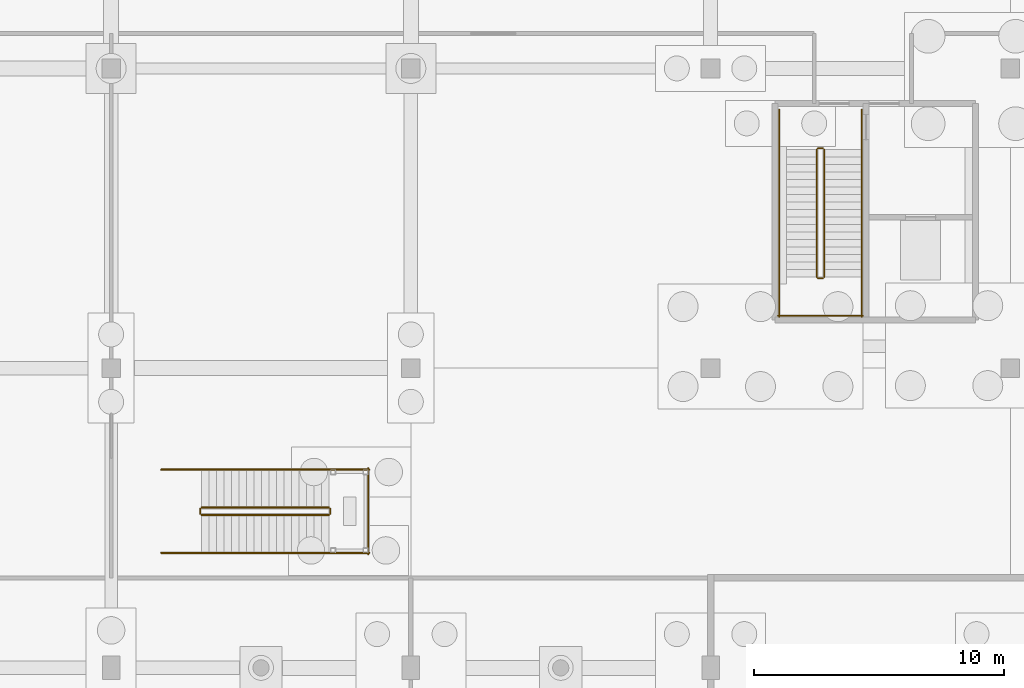
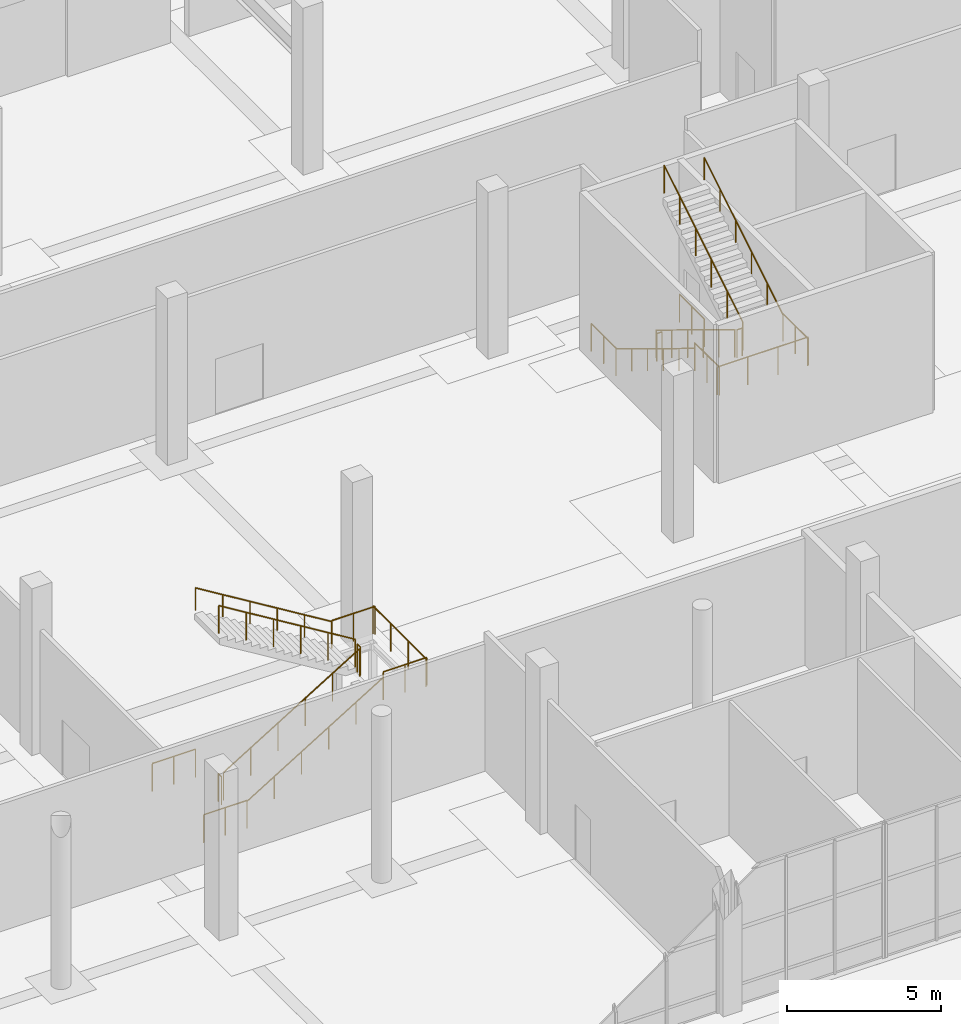
# One storey, part 113 of 117: 22 railings.
"""IFC4 building model written with IfcOpenShell, lengths in metres."""

from ifc_helpers import new_model, si_unit, direction, frame, origin, origin_2d, place, context, subcontext, project, spatial, circle, extrude, material, type_object, element, save


model = new_model("IFC4")

# Units and contexts
model_context = context("Model", 3, precision=1e-05, world=origin(), true_north=direction((0.0, 1.0)))
body_context = subcontext(model_context, "Body", "Model", "MODEL_VIEW")
ifc_project = project(units=[si_unit("LENGTHUNIT", "METRE"), si_unit("AREAUNIT", "SQUARE_METRE"), si_unit("VOLUMEUNIT", "CUBIC_METRE"), si_unit("PLANEANGLEUNIT", "RADIAN"), si_unit("MASSUNIT", "GRAM", prefix="KILO")], contexts=[model_context])

# Site, building, storey
site_placement = place(None, origin())
site = spatial("IfcSite", under=ifc_project, at=site_placement, CompositionType="ELEMENT")
building_placement = place(site_placement, origin())
building = spatial("IfcBuilding", under=site, at=building_placement, Name="Kamomehara Wholesale Market", CompositionType="ELEMENT")
storey_placement = place(building_placement, origin())
storey = spatial("IfcBuildingStorey", under=building, at=storey_placement, Name="L00", CompositionType="ELEMENT", Elevation=0.0)

# Railings
ifc_material_1 = material(Name="Steel SN400B", Category="steel")
railing_type_1 = type_object("IfcRailingType", Name="RAL-HND-900", PredefinedType="HANDRAIL", material=ifc_material_1)
railing_1_placement = place(storey_placement, frame((158.75, 128.75, 0.183349609375)))
element("IfcRailing", 1, at=railing_1_placement, inside=storey, type_object=railing_type_1, Name="L00 ST-02 stair handrail 1", PredefinedType="HANDRAIL", context=body_context, shape_type="SweptSolid", body=[
    extrude(circle(Radius=0.02392578125, at=origin_2d()), frame((0.0, 0.0, 0.8759765625), z_axis=(0.0, -0.853283853024, 0.521446705012), x_axis=(1.0, 0.0, 0.0)), (0.0, 0.0, 1.0), 5.97705078125),
    extrude(circle(Radius=0.02099609375, at=origin_2d()), origin(), (0.0, 0.0, 1.0), 0.851806640625),
    extrude(circle(Radius=0.02099609375, at=origin_2d()), frame((0.0, -1.02001953125, 0.623291015625)), (0.0, 0.0, 1.0), 0.851806640625),
    extrude(circle(Radius=0.02099609375, at=origin_2d()), frame((0.0, -2.0400390625, 1.24658203125)), (0.0, 0.0, 1.0), 0.851806640625),
    extrude(circle(Radius=0.02099609375, at=origin_2d()), frame((0.0, -3.06005859375, 1.8701171875)), (0.0, 0.0, 1.0), 0.851806640625),
    extrude(circle(Radius=0.02099609375, at=origin_2d()), frame((0.0, -4.080078125, 2.493408203125)), (0.0, 0.0, 1.0), 0.851806640625),
    extrude(circle(Radius=0.02099609375, at=origin_2d()), frame((0.0, -5.10009765625, 3.11669921875)), (0.0, 0.0, 1.0), 0.851806640625),
])
railing_2_placement = place(storey_placement, frame((162.050048828125, 123.64990234375, 3.4833984375)))
element("IfcRailing", 2, at=railing_2_placement, inside=storey, type_object=railing_type_1, Name="L00 ST-02 stair handrail 2", PredefinedType="HANDRAIL", context=body_context, shape_type="SweptSolid", body=[
    extrude(circle(Radius=0.02392578125, at=origin_2d()), frame((0.0, 0.0, 0.8759765625), z_axis=(0.0, 0.853283853024, 0.521446705012), x_axis=(-1.0, 0.0, 0.0)), (0.0, 0.0, 1.0), 5.97705078125),
    extrude(circle(Radius=0.02099609375, at=origin_2d()), origin(), (0.0, 0.0, 1.0), 0.851806640625),
    extrude(circle(Radius=0.02099609375, at=origin_2d()), frame((0.0, 1.02001953125, 0.623291015625)), (0.0, 0.0, 1.0), 0.851806640625),
    extrude(circle(Radius=0.02099609375, at=origin_2d()), frame((0.0, 2.0400390625, 1.24658203125)), (0.0, 0.0, 1.0), 0.851806640625),
    extrude(circle(Radius=0.02099609375, at=origin_2d()), frame((0.0, 3.06005859375, 1.8701171875)), (0.0, 0.0, 1.0), 0.851806640625),
    extrude(circle(Radius=0.02099609375, at=origin_2d()), frame((0.0, 4.080078125, 2.493408203125)), (0.0, 0.0, 1.0), 0.851806640625),
    extrude(circle(Radius=0.02099609375, at=origin_2d()), frame((0.0, 5.10009765625, 3.11669921875)), (0.0, 0.0, 1.0), 0.851806640625),
])
railing_3_placement = place(storey_placement, frame((135.6201171875, 112.60009765625, 0.183349609375)))
element("IfcRailing", 3, at=railing_3_placement, inside=storey, type_object=railing_type_1, Name="L00 ST-12 stair handrail 1", PredefinedType="HANDRAIL", context=body_context, shape_type="SweptSolid", body=[
    extrude(circle(Radius=0.02392578125, at=origin_2d()), frame((0.0, 0.0, 0.8759765625), z_axis=(0.853272746002, 0.0, 0.521464879863), x_axis=(0.0, 1.0, 0.0)), (0.0, 0.0, 1.0), 5.976806640625),
    extrude(circle(Radius=0.02099609375, at=origin_2d()), origin(), (0.0, 0.0, 1.0), 0.851806640625),
    extrude(circle(Radius=0.02099609375, at=origin_2d()), frame((1.02001953125, 0.0, 0.623291015625)), (0.0, 0.0, 1.0), 0.851806640625),
    extrude(circle(Radius=0.02099609375, at=origin_2d()), frame((2.0400390625, 0.0, 1.24658203125)), (0.0, 0.0, 1.0), 0.851806640625),
    extrude(circle(Radius=0.02099609375, at=origin_2d()), frame((3.059814453125, 0.0, 1.8701171875)), (0.0, 0.0, 1.0), 0.851806640625),
    extrude(circle(Radius=0.02099609375, at=origin_2d()), frame((4.079833984375, 0.0, 2.493408203125)), (0.0, 0.0, 1.0), 0.851806640625),
    extrude(circle(Radius=0.02099609375, at=origin_2d()), frame((5.099853515625, 0.0, 3.11669921875)), (0.0, 0.0, 1.0), 0.851806640625),
])
railing_4_placement = place(storey_placement, frame((140.719970703125, 115.93994140625, 3.4833984375)))
element("IfcRailing", 4, at=railing_4_placement, inside=storey, type_object=railing_type_1, Name="L00 ST-12 stair handrail 2", PredefinedType="HANDRAIL", context=body_context, shape_type="SweptSolid", body=[
    extrude(circle(Radius=0.02392578125, at=origin_2d()), frame((0.0, 0.0, 0.8759765625), z_axis=(-0.853272746002, 0.0, 0.521464879863), x_axis=(0.0, -1.0, 0.0)), (0.0, 0.0, 1.0), 5.976806640625),
    extrude(circle(Radius=0.02099609375, at=origin_2d()), origin(), (0.0, 0.0, 1.0), 0.851806640625),
    extrude(circle(Radius=0.02099609375, at=origin_2d()), frame((-1.02001953125, 0.0, 0.623291015625)), (0.0, 0.0, 1.0), 0.851806640625),
    extrude(circle(Radius=0.02099609375, at=origin_2d()), frame((-2.0400390625, 0.0, 1.24658203125)), (0.0, 0.0, 1.0), 0.851806640625),
    extrude(circle(Radius=0.02099609375, at=origin_2d()), frame((-3.059814453125, 0.0, 1.8701171875)), (0.0, 0.0, 1.0), 0.851806640625),
    extrude(circle(Radius=0.02099609375, at=origin_2d()), frame((-4.079833984375, 0.0, 2.493408203125)), (0.0, 0.0, 1.0), 0.851806640625),
    extrude(circle(Radius=0.02099609375, at=origin_2d()), frame((-5.099853515625, 0.0, 3.11669921875)), (0.0, 0.0, 1.0), 0.851806640625),
])
ifc_material_2 = material(Name="Steel SN400B", Category="steel")
railing_type_2 = type_object("IfcRailingType", Name="RAL-INT-1100", PredefinedType="BALUSTRADE", material=ifc_material_2)
railing_5_placement = place(storey_placement, frame((160.25, 128.75, 0.183349609375)))
element("IfcRailing", 5, at=railing_5_placement, inside=storey, type_object=railing_type_2, Name="L00 ST-02 stair guard 1", PredefinedType="BALUSTRADE", context=body_context, shape_type="SweptSolid", body=[
    extrude(circle(Radius=0.02392578125, at=origin_2d()), frame((0.0, 0.0, 1.09619140625), z_axis=(0.0, -0.853283853024, 0.521446705012), x_axis=(1.0, 0.0, 0.0)), (0.0, 0.0, 1.0), 5.97705078125),
    extrude(circle(Radius=0.02099609375, at=origin_2d()), origin(), (0.0, 0.0, 1.0), 1.072021484375),
    extrude(circle(Radius=0.02099609375, at=origin_2d()), frame((0.0, -1.02001953125, 0.623291015625)), (0.0, 0.0, 1.0), 1.072021484375),
    extrude(circle(Radius=0.02099609375, at=origin_2d()), frame((0.0, -2.0400390625, 1.24658203125)), (0.0, 0.0, 1.0), 1.072021484375),
    extrude(circle(Radius=0.02099609375, at=origin_2d()), frame((0.0, -3.06005859375, 1.8701171875)), (0.0, 0.0, 1.0), 1.072021484375),
    extrude(circle(Radius=0.02099609375, at=origin_2d()), frame((0.0, -4.080078125, 2.493408203125)), (0.0, 0.0, 1.0), 1.072021484375),
    extrude(circle(Radius=0.02099609375, at=origin_2d()), frame((0.0, -5.10009765625, 3.11669921875)), (0.0, 0.0, 1.0), 1.072021484375),
])
railing_6_placement = place(storey_placement, frame((160.300048828125, 123.60009765625, 3.300048828125)))
element("IfcRailing", 6, at=railing_6_placement, inside=storey, type_object=railing_type_2, Name="L00 ST-02 stair guard 2", PredefinedType="BALUSTRADE", context=body_context, shape_type="SweptSolid", body=[
    extrude(circle(Radius=0.02392578125, at=origin_2d()), frame((0.0, 0.0, 1.09619140625), z_axis=(1.0, 0.0, 0.0), x_axis=(0.0, 1.0, 0.0)), (0.0, 0.0, 1.0), 0.199951171875),
    extrude(circle(Radius=0.02099609375, at=origin_2d()), origin(), (0.0, 0.0, 1.0), 1.072021484375),
    extrude(circle(Radius=0.02099609375, at=origin_2d()), frame((0.199951171875, 0.0, 0.0)), (0.0, 0.0, 1.0), 1.072021484375),
])
for number, where, name in (
    (7, (158.75, 123.64990234375, 3.300048828125), "L00 ST-02 stair guard 3"),
    (8, (162.050048828125, 123.64990234375, 3.300048828125), "L00 ST-02 stair guard 4"),
):
    element("IfcRailing", number, at=place(storey_placement, frame(where)), inside=storey, type_object=railing_type_2, Name=name, PredefinedType="BALUSTRADE", context=body_context, shape_type="SweptSolid", body=[
        extrude(circle(Radius=0.02392578125, at=origin_2d()), frame((0.0, 0.0, 1.09619140625), z_axis=(0.0, -1.0, 0.0), x_axis=(1.0, 0.0, 0.0)), (0.0, 0.0, 1.0), 1.599853515625),
        extrude(circle(Radius=0.02099609375, at=origin_2d()), origin(), (0.0, 0.0, 1.0), 1.072021484375),
        extrude(circle(Radius=0.02099609375, at=origin_2d()), frame((0.0, -0.7998046875, 0.0)), (0.0, 0.0, 1.0), 1.072021484375),
        extrude(circle(Radius=0.02099609375, at=origin_2d()), frame((0.0, -1.599853515625, 0.0)), (0.0, 0.0, 1.0), 1.072021484375),
    ])
railing_7_placement = place(storey_placement, frame((158.699951171875, 122.10009765625, 3.300048828125)))
element("IfcRailing", 9, at=railing_7_placement, inside=storey, type_object=railing_type_2, Name="L00 ST-02 stair guard 5", PredefinedType="BALUSTRADE", context=body_context, shape_type="SweptSolid", body=[
    extrude(circle(Radius=0.02392578125, at=origin_2d()), frame((0.0, 0.0, 1.09619140625), z_axis=(1.0, 0.0, 0.0), x_axis=(0.0, 1.0, 0.0)), (0.0, 0.0, 1.0), 3.400146484375),
    extrude(circle(Radius=0.02099609375, at=origin_2d()), origin(), (0.0, 0.0, 1.0), 1.072021484375),
    extrude(circle(Radius=0.02099609375, at=origin_2d()), frame((1.13330078125, 0.0, 0.0)), (0.0, 0.0, 1.0), 1.072021484375),
    extrude(circle(Radius=0.02099609375, at=origin_2d()), frame((2.266845703125, 0.0, 0.0)), (0.0, 0.0, 1.0), 1.072021484375),
    extrude(circle(Radius=0.02099609375, at=origin_2d()), frame((3.400146484375, 0.0, 0.0)), (0.0, 0.0, 1.0), 1.072021484375),
])
railing_8_placement = place(storey_placement, frame((160.550048828125, 123.64990234375, 3.4833984375)))
element("IfcRailing", 10, at=railing_8_placement, inside=storey, type_object=railing_type_2, Name="L00 ST-02 stair guard 6", PredefinedType="BALUSTRADE", context=body_context, shape_type="SweptSolid", body=[
    extrude(circle(Radius=0.02392578125, at=origin_2d()), frame((0.0, 0.0, 1.09619140625), z_axis=(0.0, 0.853283853024, 0.521446705012), x_axis=(-1.0, 0.0, 0.0)), (0.0, 0.0, 1.0), 5.97705078125),
    extrude(circle(Radius=0.02099609375, at=origin_2d()), origin(), (0.0, 0.0, 1.0), 1.072021484375),
    extrude(circle(Radius=0.02099609375, at=origin_2d()), frame((0.0, 1.02001953125, 0.623291015625)), (0.0, 0.0, 1.0), 1.072021484375),
    extrude(circle(Radius=0.02099609375, at=origin_2d()), frame((0.0, 2.0400390625, 1.24658203125)), (0.0, 0.0, 1.0), 1.072021484375),
    extrude(circle(Radius=0.02099609375, at=origin_2d()), frame((0.0, 3.06005859375, 1.8701171875)), (0.0, 0.0, 1.0), 1.072021484375),
    extrude(circle(Radius=0.02099609375, at=origin_2d()), frame((0.0, 4.080078125, 2.493408203125)), (0.0, 0.0, 1.0), 1.072021484375),
    extrude(circle(Radius=0.02099609375, at=origin_2d()), frame((0.0, 5.10009765625, 3.11669921875)), (0.0, 0.0, 1.0), 1.072021484375),
])
railing_9_placement = place(storey_placement, frame((160.300048828125, 128.800048828125, 0.0)))
element("IfcRailing", 11, at=railing_9_placement, inside=storey, type_object=railing_type_2, Name="L00 ST-02 stair guard 7", PredefinedType="BALUSTRADE", context=body_context, shape_type="SweptSolid", body=[
    extrude(circle(Radius=0.02392578125, at=origin_2d()), frame((0.0, 0.0, 1.09619140625), z_axis=(1.0, 0.0, 0.0), x_axis=(0.0, 1.0, 0.0)), (0.0, 0.0, 1.0), 0.199951171875),
    extrude(circle(Radius=0.02099609375, at=origin_2d()), origin(), (0.0, 0.0, 1.0), 1.072021484375),
    extrude(circle(Radius=0.02099609375, at=origin_2d()), frame((0.199951171875, 0.0, 0.0)), (0.0, 0.0, 1.0), 1.072021484375),
])
for number, where, name in (
    (12, (158.75, 130.35009765625, 0.0), "L00 ST-02 stair guard 8"),
    (13, (162.050048828125, 130.35009765625, 0.0), "L00 ST-02 stair guard 9"),
):
    element("IfcRailing", number, at=place(storey_placement, frame(where)), inside=storey, type_object=railing_type_2, Name=name, PredefinedType="BALUSTRADE", context=body_context, shape_type="SweptSolid", body=[
        extrude(circle(Radius=0.02392578125, at=origin_2d()), frame((0.0, 0.0, 1.09619140625), z_axis=(0.0, -1.0, 0.0), x_axis=(1.0, 0.0, 0.0)), (0.0, 0.0, 1.0), 1.60009765625),
        extrude(circle(Radius=0.02099609375, at=origin_2d()), origin(), (0.0, 0.0, 1.0), 1.072021484375),
        extrude(circle(Radius=0.02099609375, at=origin_2d()), frame((0.0, -0.800048828125, 0.0)), (0.0, 0.0, 1.0), 1.072021484375),
        extrude(circle(Radius=0.02099609375, at=origin_2d()), frame((0.0, -1.60009765625, 0.0)), (0.0, 0.0, 1.0), 1.072021484375),
    ])
railing_10_placement = place(storey_placement, frame((135.6201171875, 114.1201171875, 0.183349609375)))
element("IfcRailing", 14, at=railing_10_placement, inside=storey, type_object=railing_type_2, Name="L00 ST-12 stair guard 1", PredefinedType="BALUSTRADE", context=body_context, shape_type="SweptSolid", body=[
    extrude(circle(Radius=0.02392578125, at=origin_2d()), frame((0.0, 0.0, 1.09619140625), z_axis=(0.853272746002, 0.0, 0.521464879863), x_axis=(0.0, 1.0, 0.0)), (0.0, 0.0, 1.0), 5.976806640625),
    extrude(circle(Radius=0.02099609375, at=origin_2d()), origin(), (0.0, 0.0, 1.0), 1.072021484375),
    extrude(circle(Radius=0.02099609375, at=origin_2d()), frame((1.02001953125, 0.0, 0.623291015625)), (0.0, 0.0, 1.0), 1.072021484375),
    extrude(circle(Radius=0.02099609375, at=origin_2d()), frame((2.0400390625, 0.0, 1.24658203125)), (0.0, 0.0, 1.0), 1.072021484375),
    extrude(circle(Radius=0.02099609375, at=origin_2d()), frame((3.059814453125, 0.0, 1.8701171875)), (0.0, 0.0, 1.0), 1.072021484375),
    extrude(circle(Radius=0.02099609375, at=origin_2d()), frame((4.079833984375, 0.0, 2.493408203125)), (0.0, 0.0, 1.0), 1.072021484375),
    extrude(circle(Radius=0.02099609375, at=origin_2d()), frame((5.099853515625, 0.0, 3.11669921875)), (0.0, 0.0, 1.0), 1.072021484375),
])
railing_11_placement = place(storey_placement, frame((140.77001953125, 114.169921875, 3.300048828125)))
element("IfcRailing", 15, at=railing_11_placement, inside=storey, type_object=railing_type_2, Name="L00 ST-12 stair guard 2", PredefinedType="BALUSTRADE", context=body_context, shape_type="SweptSolid", body=[
    extrude(circle(Radius=0.02392578125, at=origin_2d()), frame((0.0, 0.0, 1.09619140625), z_axis=(0.0, 1.0, 0.0), x_axis=(-1.0, 0.0, 0.0)), (0.0, 0.0, 1.0), 0.2001953125),
    extrude(circle(Radius=0.02099609375, at=origin_2d()), origin(), (0.0, 0.0, 1.0), 1.072021484375),
    extrude(circle(Radius=0.02099609375, at=origin_2d()), frame((0.0, 0.2001953125, 0.0)), (0.0, 0.0, 1.0), 1.072021484375),
])
for number, where, name in (
    (16, (140.719970703125, 112.60009765625, 3.300048828125), "L00 ST-12 stair guard 3"),
    (17, (140.719970703125, 115.93994140625, 3.300048828125), "L00 ST-12 stair guard 4"),
):
    element("IfcRailing", number, at=place(storey_placement, frame(where)), inside=storey, type_object=railing_type_2, Name=name, PredefinedType="BALUSTRADE", context=body_context, shape_type="SweptSolid", body=[
        extrude(circle(Radius=0.02392578125, at=origin_2d()), frame((0.0, 0.0, 1.09619140625), z_axis=(1.0, 0.0, 0.0), x_axis=(0.0, 1.0, 0.0)), (0.0, 0.0, 1.0), 1.6201171875),
        extrude(circle(Radius=0.02099609375, at=origin_2d()), origin(), (0.0, 0.0, 1.0), 1.072021484375),
        extrude(circle(Radius=0.02099609375, at=origin_2d()), frame((0.81005859375, 0.0, 0.0)), (0.0, 0.0, 1.0), 1.072021484375),
        extrude(circle(Radius=0.02099609375, at=origin_2d()), frame((1.6201171875, 0.0, 0.0)), (0.0, 0.0, 1.0), 1.072021484375),
    ])
railing_12_placement = place(storey_placement, frame((142.2900390625, 112.550048828125, 3.300048828125)))
element("IfcRailing", 18, at=railing_12_placement, inside=storey, type_object=railing_type_2, Name="L00 ST-12 stair guard 5", PredefinedType="BALUSTRADE", context=body_context, shape_type="SweptSolid", body=[
    extrude(circle(Radius=0.02392578125, at=origin_2d()), frame((0.0, 0.0, 1.09619140625), z_axis=(0.0, 1.0, 0.0), x_axis=(-1.0, 0.0, 0.0)), (0.0, 0.0, 1.0), 3.43994140625),
    extrude(circle(Radius=0.02099609375, at=origin_2d()), origin(), (0.0, 0.0, 1.0), 1.072021484375),
    extrude(circle(Radius=0.02099609375, at=origin_2d()), frame((0.0, 1.146728515625, 0.0)), (0.0, 0.0, 1.0), 1.072021484375),
    extrude(circle(Radius=0.02099609375, at=origin_2d()), frame((0.0, 2.293212890625, 0.0)), (0.0, 0.0, 1.0), 1.072021484375),
    extrude(circle(Radius=0.02099609375, at=origin_2d()), frame((0.0, 3.43994140625, 0.0)), (0.0, 0.0, 1.0), 1.072021484375),
])
railing_13_placement = place(storey_placement, frame((140.719970703125, 114.419921875, 3.4833984375)))
element("IfcRailing", 19, at=railing_13_placement, inside=storey, type_object=railing_type_2, Name="L00 ST-12 stair guard 6", PredefinedType="BALUSTRADE", context=body_context, shape_type="SweptSolid", body=[
    extrude(circle(Radius=0.02392578125, at=origin_2d()), frame((0.0, 0.0, 1.09619140625), z_axis=(-0.853272746002, 0.0, 0.521464879863), x_axis=(0.0, -1.0, 0.0)), (0.0, 0.0, 1.0), 5.976806640625),
    extrude(circle(Radius=0.02099609375, at=origin_2d()), origin(), (0.0, 0.0, 1.0), 1.072021484375),
    extrude(circle(Radius=0.02099609375, at=origin_2d()), frame((-1.02001953125, 0.0, 0.623291015625)), (0.0, 0.0, 1.0), 1.072021484375),
    extrude(circle(Radius=0.02099609375, at=origin_2d()), frame((-2.0400390625, 0.0, 1.24658203125)), (0.0, 0.0, 1.0), 1.072021484375),
    extrude(circle(Radius=0.02099609375, at=origin_2d()), frame((-3.059814453125, 0.0, 1.8701171875)), (0.0, 0.0, 1.0), 1.072021484375),
    extrude(circle(Radius=0.02099609375, at=origin_2d()), frame((-4.079833984375, 0.0, 2.493408203125)), (0.0, 0.0, 1.0), 1.072021484375),
    extrude(circle(Radius=0.02099609375, at=origin_2d()), frame((-5.099853515625, 0.0, 3.11669921875)), (0.0, 0.0, 1.0), 1.072021484375),
])
railing_14_placement = place(storey_placement, frame((135.570068359375, 114.169921875, 0.0)))
element("IfcRailing", 20, at=railing_14_placement, inside=storey, type_object=railing_type_2, Name="L00 ST-12 stair guard 7", PredefinedType="BALUSTRADE", context=body_context, shape_type="SweptSolid", body=[
    extrude(circle(Radius=0.02392578125, at=origin_2d()), frame((0.0, 0.0, 1.09619140625), z_axis=(0.0, 1.0, 0.0), x_axis=(-1.0, 0.0, 0.0)), (0.0, 0.0, 1.0), 0.2001953125),
    extrude(circle(Radius=0.02099609375, at=origin_2d()), origin(), (0.0, 0.0, 1.0), 1.072021484375),
    extrude(circle(Radius=0.02099609375, at=origin_2d()), frame((0.0, 0.2001953125, 0.0)), (0.0, 0.0, 1.0), 1.072021484375),
])
for number, where, name in (
    (21, (134.0, 112.60009765625, 0.0), "L00 ST-12 stair guard 8"),
    (22, (134.0, 115.93994140625, 0.0), "L00 ST-12 stair guard 9"),
):
    element("IfcRailing", number, at=place(storey_placement, frame(where)), inside=storey, type_object=railing_type_2, Name=name, PredefinedType="BALUSTRADE", context=body_context, shape_type="SweptSolid", body=[
        extrude(circle(Radius=0.02392578125, at=origin_2d()), frame((0.0, 0.0, 1.09619140625), z_axis=(1.0, 0.0, 0.0), x_axis=(0.0, 1.0, 0.0)), (0.0, 0.0, 1.0), 1.6201171875),
        extrude(circle(Radius=0.02099609375, at=origin_2d()), origin(), (0.0, 0.0, 1.0), 1.072021484375),
        extrude(circle(Radius=0.02099609375, at=origin_2d()), frame((0.81005859375, 0.0, 0.0)), (0.0, 0.0, 1.0), 1.072021484375),
        extrude(circle(Radius=0.02099609375, at=origin_2d()), frame((1.6201171875, 0.0, 0.0)), (0.0, 0.0, 1.0), 1.072021484375),
    ])

save(model, "model.ifc")
